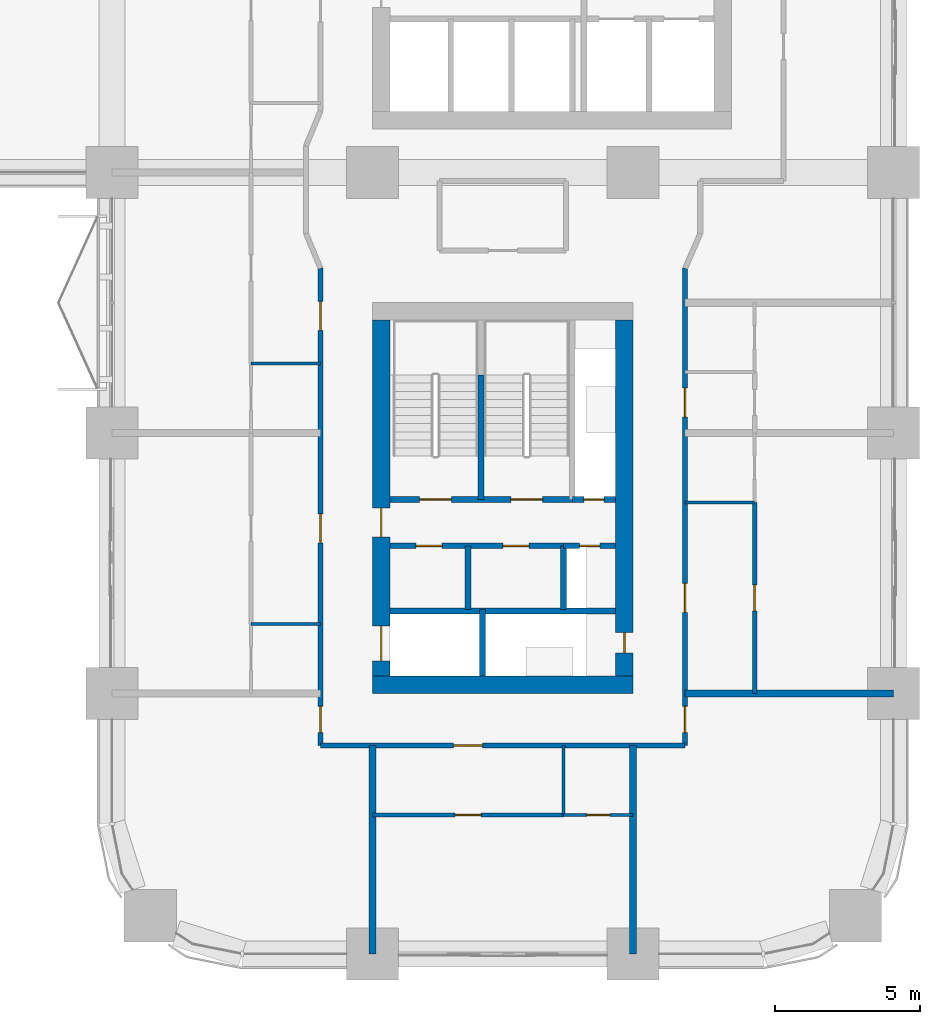
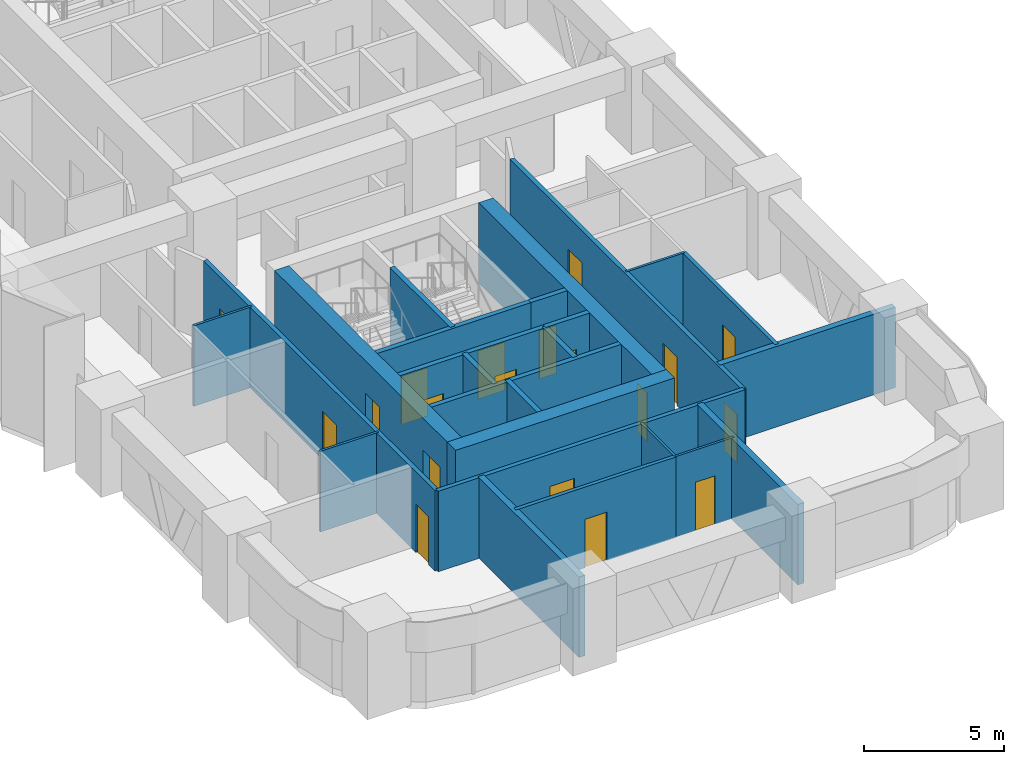
# One storey, part 12 of 18: 25 walls, 19 doors, 19 openings.
"""IFC4 building model written with IfcOpenShell, lengths in metres."""

from ifc_helpers import new_model, si_unit, direction, frame, frame_2d, origin, place, context, subcontext, project, spatial, rectangle, extrude, material, layer, layer_set, type_object, element, fill, save


model = new_model("IFC4")

# Units and contexts
model_context = context("Model", 3, precision=1e-05, world=origin(), true_north=direction((0.0, 1.0)))
body_context = subcontext(model_context, "Body", "Model", "MODEL_VIEW")
ifc_project = project(units=[si_unit("LENGTHUNIT", "METRE"), si_unit("AREAUNIT", "SQUARE_METRE"), si_unit("VOLUMEUNIT", "CUBIC_METRE"), si_unit("PLANEANGLEUNIT", "RADIAN"), si_unit("MASSUNIT", "GRAM", prefix="KILO")], contexts=[model_context])

# Site, building, storey
site_placement = place(None, origin())
site = spatial("IfcSite", under=ifc_project, at=site_placement, CompositionType="ELEMENT")
building_placement = place(site_placement, origin())
building = spatial("IfcBuilding", under=site, at=building_placement, Name="Tessera Arch", CompositionType="ELEMENT")
storey_placement = place(building_placement, frame((0.0, 0.0, 100.60009765625)))
storey = spatial("IfcBuildingStorey", under=building, at=storey_placement, Name="L23", CompositionType="ELEMENT", Elevation=100.60009765625)

# Wall
ifc_material_1 = material(Name="Gypsum board on steel stud", Category="steel")
ifc_layer_1 = layer(ifc_material_1, 0.125)
ifc_layer_set_1 = layer_set([ifc_layer_1], Name="Core partition 125 EI 60")
wall_type_1 = type_object("IfcWallType", Name="Core partition 125 EI 60", PredefinedType="PARTITIONING", material=ifc_layer_set_1)
wall_1_placement = place(storey_placement, frame((39.300048828125, 11.89990234375, 0.0), z_axis=(0.0, 0.0, 1.0), x_axis=(0.0, 1.0, 0.0)))
element("IfcWall", 1, at=wall_1_placement, inside=storey, type_object=wall_type_1, Name="L23 C3 partition wall 1", PredefinedType="PARTITIONING", context=body_context, shape_type="SweptSolid", body=[
    extrude(rectangle(XDim=2.2001953125, YDim=0.199951171875, at=frame_2d((1.10009765625, 0.0))), origin(), (0.0, 0.0, 1.0), 3.5),
])

# Wall, openings, doors
wall_2_placement = place(storey_placement, frame((36.60009765625, 14.10009765625, 0.0), z_axis=(0.0, 0.0, 1.0), x_axis=(1.0, 0.0, 0.0)))
wall_2 = element("IfcWall", 2, at=wall_2_placement, inside=storey, type_object=wall_type_1, Name="L23 C3 partition wall 9", PredefinedType="PARTITIONING", context=body_context, shape_type="SweptSolid", body=[
    extrude(rectangle(XDim=6.0, YDim=0.199951171875, at=frame_2d((3.0, 0.0))), origin(), (0.0, 0.0, 1.0), 3.5),
])
opening_1_placement = place(wall_2_placement, frame((0.89990234375, 0.0, 0.0)))
opening_1 = element("IfcOpeningElement", 3, at=opening_1_placement, cuts=wall_2, Name="Opening L23-C38", PredefinedType="OPENING", context=body_context, shape_type="SweptSolid", body=[
    extrude(rectangle(XDim=0.89990234375, YDim=2.10009765625, at=frame_2d((0.449951171875, 1.050048828125))), frame((0.0, 0.10986328125, 0.0), z_axis=(0.0, -1.0, 0.0), x_axis=(1.0, 0.0, 0.0)), (0.0, 0.0, 1.0), 0.219970703125),
])
opening_2_placement = place(wall_2_placement, frame((3.89990234375, 0.0, 0.0)))
opening_2 = element("IfcOpeningElement", 4, at=opening_2_placement, cuts=wall_2, Name="Opening L23-C39", PredefinedType="OPENING", context=body_context, shape_type="SweptSolid", body=[
    extrude(rectangle(XDim=0.89990234375, YDim=2.10009765625, at=frame_2d((0.449951171875, 1.050048828125))), frame((0.0, 0.10986328125, 0.0), z_axis=(0.0, -1.0, 0.0), x_axis=(1.0, 0.0, 0.0)), (0.0, 0.0, 1.0), 0.219970703125),
])
ifc_material_2 = material(Name="Steel door leaf", Category="steel")
door_type_1 = type_object("IfcDoorType", Name="Store door FD30S 900 x 2100", OperationType="SINGLE_SWING_LEFT", PredefinedType="DOOR", material=ifc_material_2)
door_1_placement = place(opening_1_placement, origin())
door_1 = element("IfcDoor", 5, at=door_1_placement, inside=storey, type_object=door_type_1, Name="L23 C3 door 8 C38 type D09", OperationType="SINGLE_SWING_LEFT", OverallHeight=2.10009765625, OverallWidth=0.89990234375, PredefinedType="DOOR", context=body_context, shape_type="SweptSolid", body=[
    extrude(rectangle(XDim=0.89990234375, YDim=2.10009765625, at=frame_2d((0.449951171875, 1.050048828125))), frame((0.0, 0.02490234375, 0.0), z_axis=(0.0, -1.0, 0.0), x_axis=(1.0, 0.0, 0.0)), (0.0, 0.0, 1.0), 0.050048828125),
])
fill(opening_1, door_1)
door_2_placement = place(opening_2_placement, origin())
door_2 = element("IfcDoor", 6, at=door_2_placement, inside=storey, type_object=door_type_1, Name="L23 C3 door 9 C39 type D09", OperationType="SINGLE_SWING_RIGHT", OverallHeight=2.10009765625, OverallWidth=0.89990234375, PredefinedType="DOOR", context=body_context, shape_type="SweptSolid", body=[
    extrude(rectangle(XDim=0.89990234375, YDim=2.10009765625, at=frame_2d((0.449951171875, 1.050048828125))), frame((0.0, 0.02490234375, 0.0), z_axis=(0.0, -1.0, 0.0), x_axis=(1.0, 0.0, 0.0)), (0.0, 0.0, 1.0), 0.050048828125),
])
fill(opening_2, door_2)

# Wall
ifc_material_3 = material(Name="Concrete C70/85", Category="concrete")
ifc_layer_2 = layer(ifc_material_3, 0.60009765625)
ifc_layer_set_2 = layer_set([ifc_layer_2], Name="Core shell wall 600 C70-85")
wall_type_2 = type_object("IfcWallType", Name="Core shell wall 600 C70-85", PredefinedType="SHEAR", material=ifc_layer_set_2)
wall_3_placement = place(storey_placement, frame((36.0, 9.300048828125, 0.0), z_axis=(0.0, 0.0, 1.0), x_axis=(1.0, 0.0, 0.0)))
element("IfcWall", 7, at=wall_3_placement, inside=storey, type_object=wall_type_2, Name="L23 C3 core wall S", PredefinedType="SHEAR", context=body_context, shape_type="SweptSolid", body=[
    extrude(rectangle(XDim=9.0, YDim=0.60009765625, at=frame_2d((4.5, 0.0))), origin(), (0.0, 0.0, 1.0), 3.5),
])

# Wall, openings, doors
wall_4_placement = place(storey_placement, frame((36.300048828125, 9.60009765625, 0.0), z_axis=(0.0, 0.0, 1.0), x_axis=(0.0, 1.0, 0.0)))
wall_4 = element("IfcWall", 8, at=wall_4_placement, inside=storey, type_object=wall_type_2, Name="L23 C3 core wall W", PredefinedType="SHEAR", context=body_context, shape_type="SweptSolid", body=[
    extrude(rectangle(XDim=12.2998046875, YDim=0.60009765625, at=frame_2d((6.14990234375, 0.0))), origin(), (0.0, 0.0, 1.0), 3.5),
])
opening_3_placement = place(wall_4_placement, frame((0.52490234375, 0.0, 0.0)))
opening_3 = element("IfcOpeningElement", 9, at=opening_3_placement, cuts=wall_4, Name="Opening L23-C31", PredefinedType="OPENING", context=body_context, shape_type="SweptSolid", body=[
    extrude(rectangle(XDim=1.199951171875, YDim=2.10009765625, at=frame_2d((0.60009765625, 1.050048828125))), frame((0.0, 0.31005859375, 0.0), z_axis=(0.0, -1.0, 0.0), x_axis=(1.0, 0.0, 0.0)), (0.0, 0.0, 1.0), 0.6201171875),
])
opening_4_placement = place(wall_4_placement, frame((4.800048828125, 0.0, 0.0)))
opening_4 = element("IfcOpeningElement", 10, at=opening_4_placement, cuts=wall_4, Name="Opening L23-C37", PredefinedType="OPENING", context=body_context, shape_type="SweptSolid", body=[
    extrude(rectangle(XDim=1.0, YDim=2.10009765625, at=frame_2d((0.5, 1.050048828125))), frame((0.0, 0.31005859375, 0.0), z_axis=(0.0, -1.0, 0.0), x_axis=(1.0, 0.0, 0.0)), (0.0, 0.0, 1.0), 0.6201171875),
])
ifc_material_4 = material(Name="Steel door leaf", Category="steel")
door_type_2 = type_object("IfcDoorType", Name="Corridor door FD60 1000 x 2100", OperationType="SINGLE_SWING_LEFT", PredefinedType="DOOR", material=ifc_material_4)
door_3_placement = place(opening_4_placement, origin())
door_3 = element("IfcDoor", 11, at=door_3_placement, inside=storey, type_object=door_type_2, Name="L23 C3 door 7 C37 type D12", OperationType="SINGLE_SWING_LEFT", OverallHeight=2.10009765625, OverallWidth=1.0, PredefinedType="DOOR", context=body_context, shape_type="SweptSolid", body=[
    extrude(rectangle(XDim=1.0, YDim=2.10009765625, at=frame_2d((0.5, 1.050048828125))), frame((0.0, 0.02490234375, 0.0), z_axis=(0.0, -1.0, 0.0), x_axis=(1.0, 0.0, 0.0)), (0.0, 0.0, 1.0), 0.050048828125),
])
fill(opening_4, door_3)
ifc_material_5 = material(Name="Stainless steel AISI 304", Category="steel")
door_type_3 = type_object("IfcDoorType", Name="Sliding landing door 1200 x 2100", OperationType="SLIDING_TO_LEFT", PredefinedType="DOOR", material=ifc_material_5)
door_4_placement = place(opening_3_placement, origin())
door_4 = element("IfcDoor", 12, at=door_4_placement, inside=storey, type_object=door_type_3, Name="L23 SV1 lift landing door C31 type LD", OperationType="SLIDING_TO_LEFT", OverallHeight=2.10009765625, OverallWidth=1.199951171875, PredefinedType="DOOR", context=body_context, shape_type="SweptSolid", body=[
    extrude(rectangle(XDim=1.199951171875, YDim=2.10009765625, at=frame_2d((0.60009765625, 1.050048828125))), frame((0.0, 0.02490234375, 0.0), z_axis=(0.0, -1.0, 0.0), x_axis=(1.0, 0.0, 0.0)), (0.0, 0.0, 1.0), 0.050048828125),
])
fill(opening_3, door_4)

# Wall, opening, door
wall_5_placement = place(storey_placement, frame((44.699951171875, 9.60009765625, 0.0), z_axis=(0.0, 0.0, 1.0), x_axis=(0.0, 1.0, 0.0)))
wall_5 = element("IfcWall", 13, at=wall_5_placement, inside=storey, type_object=wall_type_2, Name="L23 C3 core wall E", PredefinedType="SHEAR", context=body_context, shape_type="SweptSolid", body=[
    extrude(rectangle(XDim=12.2998046875, YDim=0.60009765625, at=frame_2d((6.14990234375, 0.0))), origin(), (0.0, 0.0, 1.0), 3.5),
])
opening_5_placement = place(wall_5_placement, frame((0.800048828125, 0.0, 0.0)))
opening_5 = element("IfcOpeningElement", 14, at=opening_5_placement, cuts=wall_5, Name="Opening L23-C36", PredefinedType="OPENING", context=body_context, shape_type="SweptSolid", body=[
    extrude(rectangle(XDim=0.699951171875, YDim=2.10009765625, at=frame_2d((0.35009765625, 1.050048828125))), frame((0.0, 0.31005859375, 0.0), z_axis=(0.0, -1.0, 0.0), x_axis=(1.0, 0.0, 0.0)), (0.0, 0.0, 1.0), 0.6201171875),
])
ifc_material_6 = material(Name="Steel door leaf", Category="steel")
door_type_4 = type_object("IfcDoorType", Name="Service shaft door FD60 700 x 2100", OperationType="SINGLE_SWING_LEFT", PredefinedType="DOOR", material=ifc_material_6)
door_5_placement = place(opening_5_placement, origin())
door_5 = element("IfcDoor", 15, at=door_5_placement, inside=storey, type_object=door_type_4, Name="L23 C3 door 6 C36 type D07", OperationType="SINGLE_SWING_LEFT", OverallHeight=2.10009765625, OverallWidth=0.699951171875, PredefinedType="DOOR", context=body_context, shape_type="SweptSolid", body=[
    extrude(rectangle(XDim=0.699951171875, YDim=2.10009765625, at=frame_2d((0.35009765625, 1.050048828125))), frame((0.0, 0.02490234375, 0.0), z_axis=(0.0, -1.0, 0.0), x_axis=(1.0, 0.0, 0.0)), (0.0, 0.0, 1.0), 0.050048828125),
])
fill(opening_5, door_5)

ifc_material_7 = material(Name="Gypsum board on deep steel stud with mineral wool", Category="steel")
ifc_layer_3 = layer(ifc_material_7, 0.175048828125)
ifc_layer_set_3 = layer_set([ifc_layer_3], Name="Corridor wall 175 EI 60")
wall_type_3 = type_object("IfcWallType", Name="Corridor wall 175 EI 60", PredefinedType="PARTITIONING", material=ifc_layer_set_3)
wall_6_placement = place(storey_placement, frame((34.199951171875, 7.199951171875, 0.0), z_axis=(0.0, 0.0, 1.0), x_axis=(1.0, 0.0, 0.0)))
wall_6 = element("IfcWall", 16, at=wall_6_placement, inside=storey, type_object=wall_type_3, Name="L23 partition 1", PredefinedType="PARTITIONING", context=body_context, shape_type="SweptSolid", body=[
    extrude(rectangle(XDim=12.60009765625, YDim=0.175048828125, at=frame_2d((6.300048828125, 0.0))), origin(), (0.0, 0.0, 1.0), 3.5),
])
opening_6_placement = place(wall_6_placement, frame((4.60009765625, 0.0, 0.0)))
opening_6 = element("IfcOpeningElement", 17, at=opening_6_placement, cuts=wall_6, Name="Opening L23-D001", PredefinedType="OPENING", context=body_context, shape_type="SweptSolid", body=[
    extrude(rectangle(XDim=1.0, YDim=2.10009765625, at=frame_2d((0.5, 1.050048828125))), frame((0.0, 0.097412109375, 0.0), z_axis=(0.0, -1.0, 0.0), x_axis=(1.0, 0.0, 0.0)), (0.0, 0.0, 1.0), 0.195068359375),
])
ifc_material_8 = material(Name="Fire-rated door leaf")
door_type_5 = type_object("IfcDoorType", Name="Entrance door FD30S 1000 x 2100", OperationType="SINGLE_SWING_LEFT", PredefinedType="DOOR", material=ifc_material_8)
door_6_placement = place(opening_6_placement, origin())
door_6 = element("IfcDoor", 18, at=door_6_placement, inside=storey, type_object=door_type_5, Name="L23 door D001 type D03", OperationType="SINGLE_SWING_RIGHT", OverallHeight=2.10009765625, OverallWidth=1.0, PredefinedType="DOOR", context=body_context, shape_type="SweptSolid", body=[
    extrude(rectangle(XDim=1.0, YDim=2.10009765625, at=frame_2d((0.5, 1.050048828125))), frame((0.0, 0.02490234375, 0.0), z_axis=(0.0, -1.0, 0.0), x_axis=(1.0, 0.0, 0.0)), (0.0, 0.0, 1.0), 0.050048828125),
])
fill(opening_6, door_6)

# Wall, openings, doors
wall_7_placement = place(storey_placement, frame((34.199951171875, 7.199951171875, 0.0), z_axis=(0.0, 0.0, 1.0), x_axis=(0.0, 1.0, 0.0)))
wall_7 = element("IfcWall", 19, at=wall_7_placement, inside=storey, type_object=wall_type_3, Name="L23 partition 12", PredefinedType="PARTITIONING", context=body_context, shape_type="SweptSolid", body=[
    extrude(rectangle(XDim=16.489990234375, YDim=0.175048828125, at=frame_2d((8.2451171875, 0.0))), origin(), (0.0, 0.0, 1.0), 3.5),
])
opening_7_placement = place(wall_7_placement, frame((0.449951171875, 0.0, 0.0)))
opening_7 = element("IfcOpeningElement", 20, at=opening_7_placement, cuts=wall_7, Name="Opening L23-D004", PredefinedType="OPENING", context=body_context, shape_type="SweptSolid", body=[
    extrude(rectangle(XDim=0.89990234375, YDim=2.10009765625, at=frame_2d((0.449951171875, 1.050048828125))), frame((0.0, 0.097412109375, 0.0), z_axis=(0.0, -1.0, 0.0), x_axis=(1.0, 0.0, 0.0)), (0.0, 0.0, 1.0), 0.195068359375),
])
opening_8_placement = place(wall_7_placement, frame((7.0, 0.0, 0.0)))
opening_8 = element("IfcOpeningElement", 21, at=opening_8_placement, cuts=wall_7, Name="Opening L23-D006", PredefinedType="OPENING", context=body_context, shape_type="SweptSolid", body=[
    extrude(rectangle(XDim=1.0, YDim=2.10009765625, at=frame_2d((0.5, 1.050048828125))), frame((0.0, 0.097412109375, 0.0), z_axis=(0.0, -1.0, 0.0), x_axis=(1.0, 0.0, 0.0)), (0.0, 0.0, 1.0), 0.195068359375),
])
opening_9_placement = place(wall_7_placement, frame((14.344970703125, 0.0, 0.0)))
opening_9 = element("IfcOpeningElement", 22, at=opening_9_placement, cuts=wall_7, Name="Opening L23-D015", PredefinedType="OPENING", context=body_context, shape_type="SweptSolid", body=[
    extrude(rectangle(XDim=1.0, YDim=2.10009765625, at=frame_2d((0.5, 1.050048828125))), frame((0.0, 0.097412109375, 0.0), z_axis=(0.0, -1.0, 0.0), x_axis=(1.0, 0.0, 0.0)), (0.0, 0.0, 1.0), 0.195068359375),
])
door_7_placement = place(opening_8_placement, origin())
door_7 = element("IfcDoor", 23, at=door_7_placement, inside=storey, type_object=door_type_5, Name="L23 door D006 type D03", OperationType="SINGLE_SWING_RIGHT", OverallHeight=2.10009765625, OverallWidth=1.0, PredefinedType="DOOR", context=body_context, shape_type="SweptSolid", body=[
    extrude(rectangle(XDim=1.0, YDim=2.10009765625, at=frame_2d((0.5, 1.050048828125))), frame((0.0, 0.02490234375, 0.0), z_axis=(0.0, -1.0, 0.0), x_axis=(1.0, 0.0, 0.0)), (0.0, 0.0, 1.0), 0.050048828125),
])
fill(opening_8, door_7)
door_8_placement = place(opening_9_placement, origin())
door_8 = element("IfcDoor", 24, at=door_8_placement, inside=storey, type_object=door_type_5, Name="L23 door D015 type D03", OperationType="SINGLE_SWING_LEFT", OverallHeight=2.10009765625, OverallWidth=1.0, PredefinedType="DOOR", context=body_context, shape_type="SweptSolid", body=[
    extrude(rectangle(XDim=1.0, YDim=2.10009765625, at=frame_2d((0.5, 1.050048828125))), frame((0.0, 0.02490234375, 0.0), z_axis=(0.0, -1.0, 0.0), x_axis=(1.0, 0.0, 0.0)), (0.0, 0.0, 1.0), 0.050048828125),
])
fill(opening_9, door_8)
ifc_material_9 = material(Name="Timber door leaf", Category="wood")
door_type_6 = type_object("IfcDoorType", Name="Room door 900 x 2100", OperationType="SINGLE_SWING_LEFT", PredefinedType="DOOR", material=ifc_material_9)
door_9_placement = place(opening_7_placement, origin())
door_9 = element("IfcDoor", 25, at=door_9_placement, inside=storey, type_object=door_type_6, Name="L23 door D004 type D01", OperationType="SINGLE_SWING_RIGHT", OverallHeight=2.10009765625, OverallWidth=0.89990234375, PredefinedType="DOOR", context=body_context, shape_type="SweptSolid", body=[
    extrude(rectangle(XDim=0.89990234375, YDim=2.10009765625, at=frame_2d((0.449951171875, 1.050048828125))), frame((0.0, 0.02490234375, 0.0), z_axis=(0.0, -1.0, 0.0), x_axis=(1.0, 0.0, 0.0)), (0.0, 0.0, 1.0), 0.050048828125),
])
fill(opening_7, door_9)

wall_8_placement = place(storey_placement, frame((46.800048828125, 7.199951171875, 0.0), z_axis=(0.0, 0.0, 1.0), x_axis=(0.0, 1.0, 0.0)))
wall_8 = element("IfcWall", 26, at=wall_8_placement, inside=storey, type_object=wall_type_3, Name="L23 partition 16", PredefinedType="PARTITIONING", context=body_context, shape_type="SweptSolid", body=[
    extrude(rectangle(XDim=16.489990234375, YDim=0.175048828125, at=frame_2d((8.2451171875, 0.0))), origin(), (0.0, 0.0, 1.0), 3.5),
])
opening_10_placement = place(wall_8_placement, frame((0.449951171875, 0.0, 0.0)))
opening_10 = element("IfcOpeningElement", 27, at=opening_10_placement, cuts=wall_8, Name="Opening L23-D005", PredefinedType="OPENING", context=body_context, shape_type="SweptSolid", body=[
    extrude(rectangle(XDim=0.89990234375, YDim=2.10009765625, at=frame_2d((0.449951171875, 1.050048828125))), frame((0.0, 0.097412109375, 0.0), z_axis=(0.0, -1.0, 0.0), x_axis=(1.0, 0.0, 0.0)), (0.0, 0.0, 1.0), 0.195068359375),
])
opening_11_placement = place(wall_8_placement, frame((4.60009765625, 0.0, 0.0)))
opening_11 = element("IfcOpeningElement", 28, at=opening_11_placement, cuts=wall_8, Name="Opening L23-D009", PredefinedType="OPENING", context=body_context, shape_type="SweptSolid", body=[
    extrude(rectangle(XDim=1.0, YDim=2.10009765625, at=frame_2d((0.5, 1.050048828125))), frame((0.0, 0.097412109375, 0.0), z_axis=(0.0, -1.0, 0.0), x_axis=(1.0, 0.0, 0.0)), (0.0, 0.0, 1.0), 0.195068359375),
])
opening_12_placement = place(wall_8_placement, frame((11.35009765625, 0.0, 0.0)))
opening_12 = element("IfcOpeningElement", 29, at=opening_12_placement, cuts=wall_8, Name="Opening L23-D012", PredefinedType="OPENING", context=body_context, shape_type="SweptSolid", body=[
    extrude(rectangle(XDim=1.0, YDim=2.10009765625, at=frame_2d((0.5, 1.050048828125))), frame((0.0, 0.097412109375, 0.0), z_axis=(0.0, -1.0, 0.0), x_axis=(1.0, 0.0, 0.0)), (0.0, 0.0, 1.0), 0.195068359375),
])
door_10_placement = place(opening_11_placement, origin())
door_10 = element("IfcDoor", 30, at=door_10_placement, inside=storey, type_object=door_type_5, Name="L23 door D009 type D03", OperationType="SINGLE_SWING_RIGHT", OverallHeight=2.10009765625, OverallWidth=1.0, PredefinedType="DOOR", context=body_context, shape_type="SweptSolid", body=[
    extrude(rectangle(XDim=1.0, YDim=2.10009765625, at=frame_2d((0.5, 1.050048828125))), frame((0.0, 0.02490234375, 0.0), z_axis=(0.0, -1.0, 0.0), x_axis=(1.0, 0.0, 0.0)), (0.0, 0.0, 1.0), 0.050048828125),
])
fill(opening_11, door_10)
door_11_placement = place(opening_12_placement, origin())
door_11 = element("IfcDoor", 31, at=door_11_placement, inside=storey, type_object=door_type_5, Name="L23 door D012 type D03", OperationType="SINGLE_SWING_LEFT", OverallHeight=2.10009765625, OverallWidth=1.0, PredefinedType="DOOR", context=body_context, shape_type="SweptSolid", body=[
    extrude(rectangle(XDim=1.0, YDim=2.10009765625, at=frame_2d((0.5, 1.050048828125))), frame((0.0, 0.02490234375, 0.0), z_axis=(0.0, -1.0, 0.0), x_axis=(1.0, 0.0, 0.0)), (0.0, 0.0, 1.0), 0.050048828125),
])
fill(opening_12, door_11)
door_12_placement = place(opening_10_placement, origin())
door_12 = element("IfcDoor", 32, at=door_12_placement, inside=storey, type_object=door_type_6, Name="L23 door D005 type D01", OperationType="SINGLE_SWING_RIGHT", OverallHeight=2.10009765625, OverallWidth=0.89990234375, PredefinedType="DOOR", context=body_context, shape_type="SweptSolid", body=[
    extrude(rectangle(XDim=0.89990234375, YDim=2.10009765625, at=frame_2d((0.449951171875, 1.050048828125))), frame((0.0, 0.02490234375, 0.0), z_axis=(0.0, -1.0, 0.0), x_axis=(1.0, 0.0, 0.0)), (0.0, 0.0, 1.0), 0.050048828125),
])
fill(opening_10, door_12)

# Wall, opening, door
ifc_material_10 = material(Name="Gypsum board on steel stud", Category="steel")
ifc_layer_4 = layer(ifc_material_10, 0.14990234375)
ifc_layer_set_4 = layer_set([ifc_layer_4], Name="Partition 150")
wall_type_4 = type_object("IfcWallType", Name="Partition 150", PredefinedType="PARTITIONING", material=ifc_layer_set_4)
wall_9_placement = place(storey_placement, frame((36.0, 4.800048828125, 0.0), z_axis=(0.0, 0.0, 1.0), x_axis=(1.0, 0.0, 0.0)))
wall_9 = element("IfcWall", 33, at=wall_9_placement, inside=storey, type_object=wall_type_4, Name="L23 partition 19", PredefinedType="PARTITIONING", context=body_context, shape_type="SweptSolid", body=[
    extrude(rectangle(XDim=6.60009765625, YDim=0.14990234375, at=frame_2d((3.300048828125, 0.0))), origin(), (0.0, 0.0, 1.0), 3.5),
])
opening_13_placement = place(wall_9_placement, frame((2.85009765625, 0.0, 0.0)))
opening_13 = element("IfcOpeningElement", 34, at=opening_13_placement, cuts=wall_9, Name="Opening L23-D002", PredefinedType="OPENING", context=body_context, shape_type="SweptSolid", body=[
    extrude(rectangle(XDim=0.89990234375, YDim=2.10009765625, at=frame_2d((0.449951171875, 1.050048828125))), frame((0.0, 0.0849609375, 0.0), z_axis=(0.0, -1.0, 0.0), x_axis=(1.0, 0.0, 0.0)), (0.0, 0.0, 1.0), 0.169921875),
])
door_13_placement = place(opening_13_placement, origin())
door_13 = element("IfcDoor", 35, at=door_13_placement, inside=storey, type_object=door_type_6, Name="L23 door D002 type D01", OperationType="SINGLE_SWING_LEFT", OverallHeight=2.10009765625, OverallWidth=0.89990234375, PredefinedType="DOOR", context=body_context, shape_type="SweptSolid", body=[
    extrude(rectangle(XDim=0.89990234375, YDim=2.10009765625, at=frame_2d((0.449951171875, 1.050048828125))), frame((0.0, 0.02490234375, 0.0), z_axis=(0.0, -1.0, 0.0), x_axis=(1.0, 0.0, 0.0)), (0.0, 0.0, 1.0), 0.050048828125),
])
fill(opening_13, door_13)

wall_10_placement = place(storey_placement, frame((49.199951171875, 9.0, 0.0), z_axis=(0.0, 0.0, 1.0), x_axis=(0.0, 1.0, 0.0)))
wall_10 = element("IfcWall", 36, at=wall_10_placement, inside=storey, type_object=wall_type_4, Name="L23 partition 23", PredefinedType="PARTITIONING", context=body_context, shape_type="SweptSolid", body=[
    extrude(rectangle(XDim=6.60009765625, YDim=0.14990234375, at=frame_2d((3.300048828125, 0.0))), origin(), (0.0, 0.0, 1.0), 3.5),
])
opening_14_placement = place(wall_10_placement, frame((2.85009765625, 0.0, 0.0)))
opening_14 = element("IfcOpeningElement", 37, at=opening_14_placement, cuts=wall_10, Name="Opening L23-D010", PredefinedType="OPENING", context=body_context, shape_type="SweptSolid", body=[
    extrude(rectangle(XDim=0.89990234375, YDim=2.10009765625, at=frame_2d((0.449951171875, 1.050048828125))), frame((0.0, 0.0849609375, 0.0), z_axis=(0.0, -1.0, 0.0), x_axis=(1.0, 0.0, 0.0)), (0.0, 0.0, 1.0), 0.169921875),
])
door_14_placement = place(opening_14_placement, origin())
door_14 = element("IfcDoor", 38, at=door_14_placement, inside=storey, type_object=door_type_6, Name="L23 door D010 type D01", OperationType="SINGLE_SWING_LEFT", OverallHeight=2.10009765625, OverallWidth=0.89990234375, PredefinedType="DOOR", context=body_context, shape_type="SweptSolid", body=[
    extrude(rectangle(XDim=0.89990234375, YDim=2.10009765625, at=frame_2d((0.449951171875, 1.050048828125))), frame((0.0, 0.02490234375, 0.0), z_axis=(0.0, -1.0, 0.0), x_axis=(1.0, 0.0, 0.0)), (0.0, 0.0, 1.0), 0.050048828125),
])
fill(opening_14, door_14)

# Walls
ifc_material_11 = material(Name="Double gypsum board on twin steel stud with acoustic mineral wool", Category="steel")
ifc_layer_5 = layer(ifc_material_11, 0.25)
ifc_layer_set_5 = layer_set([ifc_layer_5], Name="Party wall 250 EI 60")
wall_type_5 = type_object("IfcWallType", Name="Party wall 250 EI 60", PredefinedType="PARTITIONING", material=ifc_layer_set_5)
for number, where, z_axis, x_axis, name in (
    (39, (46.800048828125, 9.0, 0.0), (0.0, 0.0, 1.0), (1.0, 0.0, 0.0), "L23 partition 26"),
    (40, (36.0, 0.0, 0.0), (0.0, 0.0, 1.0), (0.0, 1.0, 0.0), "L23 partition 44"),
    (41, (45.0, 0.0, 0.0), (0.0, 0.0, 1.0), (0.0, 1.0, 0.0), "L23 partition 46"),
):
    element("IfcWall", number, at=place(storey_placement, frame(where, z_axis=z_axis, x_axis=x_axis)), inside=storey, type_object=wall_type_5, Name=name, PredefinedType="PARTITIONING", context=body_context, shape_type="SweptSolid", body=[
        extrude(rectangle(XDim=7.199951171875, YDim=0.25, at=frame_2d((3.60009765625, 0.0))), origin(), (0.0, 0.0, 1.0), 3.5),
    ])
ifc_material_12 = material(Name="Concrete C40/50", Category="concrete")
ifc_layer_6 = layer(ifc_material_12, 0.199951171875)
ifc_layer_set_6 = layer_set([ifc_layer_6], Name="Shaft wall 200 EI 120")
wall_type_6 = type_object("IfcWallType", Name="Shaft wall 200 EI 120", PredefinedType="SOLIDWALL", material=ifc_layer_set_6)
wall_11_placement = place(storey_placement, frame((39.800048828125, 9.60009765625, 0.0), z_axis=(0.0, 0.0, 1.0), x_axis=(0.0, 1.0, 0.0)))
element("IfcWall", 42, at=wall_11_placement, inside=storey, type_object=wall_type_6, Name="L23 C3 shaft wall 4", PredefinedType="SOLIDWALL", context=body_context, shape_type="SweptSolid", body=[
    extrude(rectangle(XDim=2.2998046875, YDim=0.199951171875, at=frame_2d((1.14990234375, 0.0))), origin(), (0.0, 0.0, 1.0), 3.5),
])
wall_12_placement = place(storey_placement, frame((42.60009765625, 11.89990234375, 0.0), z_axis=(0.0, 0.0, 1.0), x_axis=(0.0, 1.0, 0.0)))
element("IfcWall", 43, at=wall_12_placement, inside=storey, type_object=wall_type_6, Name="L23 C3 shaft wall 5", PredefinedType="SOLIDWALL", context=body_context, shape_type="SweptSolid", body=[
    extrude(rectangle(XDim=2.2001953125, YDim=0.199951171875, at=frame_2d((1.10009765625, 0.0))), origin(), (0.0, 0.0, 1.0), 3.5),
])
wall_13_placement = place(storey_placement, frame((36.60009765625, 11.85009765625, 0.0), z_axis=(0.0, 0.0, 1.0), x_axis=(1.0, 0.0, 0.0)))
element("IfcWall", 44, at=wall_13_placement, inside=storey, type_object=wall_type_6, Name="L23 C3 shaft wall 8", PredefinedType="SOLIDWALL", context=body_context, shape_type="SweptSolid", body=[
    extrude(rectangle(XDim=7.7998046875, YDim=0.199951171875, at=frame_2d((3.89990234375, 0.0))), origin(), (0.0, 0.0, 1.0), 3.5),
])

# Wall, opening, door
wall_14_placement = place(storey_placement, frame((42.60009765625, 14.10009765625, 0.0), z_axis=(0.0, 0.0, 1.0), x_axis=(1.0, 0.0, 0.0)))
wall_14 = element("IfcWall", 45, at=wall_14_placement, inside=storey, type_object=wall_type_6, Name="L23 C3 shaft wall 10", PredefinedType="SOLIDWALL", context=body_context, shape_type="SweptSolid", body=[
    extrude(rectangle(XDim=1.7998046875, YDim=0.199951171875, at=frame_2d((0.89990234375, 0.0))), origin(), (0.0, 0.0, 1.0), 3.5),
])
opening_15_placement = place(wall_14_placement, frame((0.550048828125, 0.0, 0.0)))
opening_15 = element("IfcOpeningElement", 46, at=opening_15_placement, cuts=wall_14, Name="Opening L23-C35", PredefinedType="OPENING", context=body_context, shape_type="SweptSolid", body=[
    extrude(rectangle(XDim=0.699951171875, YDim=2.10009765625, at=frame_2d((0.35009765625, 1.050048828125))), frame((0.0, 0.10986328125, 0.0), z_axis=(0.0, -1.0, 0.0), x_axis=(1.0, 0.0, 0.0)), (0.0, 0.0, 1.0), 0.219970703125),
])
door_15_placement = place(opening_15_placement, origin())
door_15 = element("IfcDoor", 47, at=door_15_placement, inside=storey, type_object=door_type_4, Name="L23 C3 door 5 C35 type D07", OperationType="SINGLE_SWING_RIGHT", OverallHeight=2.10009765625, OverallWidth=0.699951171875, PredefinedType="DOOR", context=body_context, shape_type="SweptSolid", body=[
    extrude(rectangle(XDim=0.699951171875, YDim=2.10009765625, at=frame_2d((0.35009765625, 1.050048828125))), frame((0.0, 0.02490234375, 0.0), z_axis=(0.0, -1.0, 0.0), x_axis=(1.0, 0.0, 0.0)), (0.0, 0.0, 1.0), 0.050048828125),
])
fill(opening_15, door_15)

wall_15_placement = place(storey_placement, frame((42.89990234375, 15.699951171875, 0.0), z_axis=(0.0, 0.0, 1.0), x_axis=(1.0, 0.0, 0.0)))
wall_15 = element("IfcWall", 48, at=wall_15_placement, inside=storey, type_object=wall_type_6, Name="L23 C3 shaft wall 11", PredefinedType="SOLIDWALL", context=body_context, shape_type="SweptSolid", body=[
    extrude(rectangle(XDim=1.5, YDim=0.199951171875, at=frame_2d((0.75, 0.0))), origin(), (0.0, 0.0, 1.0), 3.5),
])
opening_16_placement = place(wall_15_placement, frame((0.39990234375, 0.0, 0.0)))
opening_16 = element("IfcOpeningElement", 49, at=opening_16_placement, cuts=wall_15, Name="Opening L23-C34", PredefinedType="OPENING", context=body_context, shape_type="SweptSolid", body=[
    extrude(rectangle(XDim=0.699951171875, YDim=2.10009765625, at=frame_2d((0.35009765625, 1.050048828125))), frame((0.0, 0.10986328125, 0.0), z_axis=(0.0, -1.0, 0.0), x_axis=(1.0, 0.0, 0.0)), (0.0, 0.0, 1.0), 0.219970703125),
])
door_16_placement = place(opening_16_placement, origin())
door_16 = element("IfcDoor", 50, at=door_16_placement, inside=storey, type_object=door_type_4, Name="L23 C3 door 4 C34 type D07", OperationType="SINGLE_SWING_LEFT", OverallHeight=2.10009765625, OverallWidth=0.699951171875, PredefinedType="DOOR", context=body_context, shape_type="SweptSolid", body=[
    extrude(rectangle(XDim=0.699951171875, YDim=2.10009765625, at=frame_2d((0.35009765625, 1.050048828125))), frame((0.0, 0.02490234375, 0.0), z_axis=(0.0, -1.0, 0.0), x_axis=(1.0, 0.0, 0.0)), (0.0, 0.0, 1.0), 0.050048828125),
])
fill(opening_16, door_16)

# Wall
ifc_material_13 = material(Name="Concrete C40/50", Category="concrete")
ifc_layer_7 = layer(ifc_material_13, 0.199951171875)
ifc_layer_set_7 = layer_set([ifc_layer_7], Name="Stair well wall 200 REI 180")
wall_type_7 = type_object("IfcWallType", Name="Stair well wall 200 REI 180", PredefinedType="SOLIDWALL", material=ifc_layer_set_7)
wall_16_placement = place(storey_placement, frame((39.75, 15.699951171875, 0.0), z_axis=(0.0, 0.0, 1.0), x_axis=(0.0, 1.0, 0.0)))
element("IfcWall", 51, at=wall_16_placement, inside=storey, type_object=wall_type_7, Name="L23 C3 shaft wall 2", PredefinedType="SOLIDWALL", context=body_context, shape_type="SweptSolid", body=[
    extrude(rectangle(XDim=4.300048828125, YDim=0.199951171875, at=frame_2d((2.14990234375, 0.0))), origin(), (0.0, 0.0, 1.0), 3.5),
])

# Wall, openings, doors
wall_17_placement = place(storey_placement, frame((36.60009765625, 15.699951171875, 0.0), z_axis=(0.0, 0.0, 1.0), x_axis=(1.0, 0.0, 0.0)))
wall_17 = element("IfcWall", 52, at=wall_17_placement, inside=storey, type_object=wall_type_7, Name="L23 C3 shaft wall 12", PredefinedType="SOLIDWALL", context=body_context, shape_type="SweptSolid", body=[
    extrude(rectangle(XDim=6.2998046875, YDim=0.199951171875, at=frame_2d((3.14990234375, 0.0))), origin(), (0.0, 0.0, 1.0), 3.5),
])
opening_17_placement = place(wall_17_placement, frame((1.02490234375, 0.0, 0.0)))
opening_17 = element("IfcOpeningElement", 53, at=opening_17_placement, cuts=wall_17, Name="Opening L23-C32", PredefinedType="OPENING", context=body_context, shape_type="SweptSolid", body=[
    extrude(rectangle(XDim=1.10009765625, YDim=2.10009765625, at=frame_2d((0.550048828125, 1.050048828125))), frame((0.0, 0.10986328125, 0.0), z_axis=(0.0, -1.0, 0.0), x_axis=(1.0, 0.0, 0.0)), (0.0, 0.0, 1.0), 0.219970703125),
])
opening_18_placement = place(wall_17_placement, frame((4.175048828125, 0.0, 0.0)))
opening_18 = element("IfcOpeningElement", 54, at=opening_18_placement, cuts=wall_17, Name="Opening L23-C33", PredefinedType="OPENING", context=body_context, shape_type="SweptSolid", body=[
    extrude(rectangle(XDim=1.10009765625, YDim=2.10009765625, at=frame_2d((0.550048828125, 1.050048828125))), frame((0.0, 0.10986328125, 0.0), z_axis=(0.0, -1.0, 0.0), x_axis=(1.0, 0.0, 0.0)), (0.0, 0.0, 1.0), 0.219970703125),
])
ifc_material_14 = material(Name="Steel door leaf", Category="steel")
door_type_7 = type_object("IfcDoorType", Name="Stair door FD60 1100 x 2100", OperationType="SINGLE_SWING_LEFT", PredefinedType="DOOR", material=ifc_material_14)
door_17_placement = place(opening_17_placement, origin())
door_17 = element("IfcDoor", 55, at=door_17_placement, inside=storey, type_object=door_type_7, Name="L23 C3 door 2 C32 type D05", OperationType="SINGLE_SWING_LEFT", OverallHeight=2.10009765625, OverallWidth=1.10009765625, PredefinedType="DOOR", context=body_context, shape_type="SweptSolid", body=[
    extrude(rectangle(XDim=1.10009765625, YDim=2.10009765625, at=frame_2d((0.550048828125, 1.050048828125))), frame((0.0, 0.02490234375, 0.0), z_axis=(0.0, -1.0, 0.0), x_axis=(1.0, 0.0, 0.0)), (0.0, 0.0, 1.0), 0.050048828125),
])
fill(opening_17, door_17)
door_18_placement = place(opening_18_placement, origin())
door_18 = element("IfcDoor", 56, at=door_18_placement, inside=storey, type_object=door_type_7, Name="L23 C3 door 3 C33 type D05", OperationType="SINGLE_SWING_RIGHT", OverallHeight=2.10009765625, OverallWidth=1.10009765625, PredefinedType="DOOR", context=body_context, shape_type="SweptSolid", body=[
    extrude(rectangle(XDim=1.10009765625, YDim=2.10009765625, at=frame_2d((0.550048828125, 1.050048828125))), frame((0.0, 0.02490234375, 0.0), z_axis=(0.0, -1.0, 0.0), x_axis=(1.0, 0.0, 0.0)), (0.0, 0.0, 1.0), 0.050048828125),
])
fill(opening_18, door_18)

# Wall, opening, door
ifc_material_15 = material(Name="Moisture-resistant board on pre-plumbed steel stud", Category="steel")
ifc_layer_8 = layer(ifc_material_15, 0.10009765625)
ifc_layer_set_8 = layer_set([ifc_layer_8], Name="Wet wall 100")
wall_type_8 = type_object("IfcWallType", Name="Wet wall 100", PredefinedType="PARTITIONING", material=ifc_layer_set_8)
wall_18_placement = place(storey_placement, frame((42.60009765625, 4.800048828125, 0.0), z_axis=(0.0, 0.0, 1.0), x_axis=(1.0, 0.0, 0.0)))
wall_18 = element("IfcWall", 57, at=wall_18_placement, inside=storey, type_object=wall_type_8, Name="L23 partition 47", PredefinedType="PARTITIONING", context=body_context, shape_type="SweptSolid", body=[
    extrude(rectangle(XDim=2.39990234375, YDim=0.10009765625, at=frame_2d((1.199951171875, 0.0))), origin(), (0.0, 0.0, 1.0), 3.5),
])
opening_19_placement = place(wall_18_placement, frame((0.800048828125, 0.0, 0.0)))
opening_19 = element("IfcOpeningElement", 58, at=opening_19_placement, cuts=wall_18, Name="Opening L23-D003", PredefinedType="OPENING", context=body_context, shape_type="SweptSolid", body=[
    extrude(rectangle(XDim=0.800048828125, YDim=2.10009765625, at=frame_2d((0.39990234375, 1.050048828125))), frame((0.0, 0.06005859375, 0.0), z_axis=(0.0, -1.0, 0.0), x_axis=(1.0, 0.0, 0.0)), (0.0, 0.0, 1.0), 0.1201171875),
])
ifc_material_16 = material(Name="Timber door leaf", Category="wood")
door_type_8 = type_object("IfcDoorType", Name="En-suite door 800 x 2100", OperationType="SINGLE_SWING_LEFT", PredefinedType="DOOR", material=ifc_material_16)
door_19_placement = place(opening_19_placement, origin())
door_19 = element("IfcDoor", 59, at=door_19_placement, inside=storey, type_object=door_type_8, Name="L23 door D003 type D02", OperationType="SINGLE_SWING_RIGHT", OverallHeight=2.10009765625, OverallWidth=0.800048828125, PredefinedType="DOOR", context=body_context, shape_type="SweptSolid", body=[
    extrude(rectangle(XDim=0.800048828125, YDim=2.10009765625, at=frame_2d((0.39990234375, 1.050048828125))), frame((0.0, 0.02490234375, 0.0), z_axis=(0.0, -1.0, 0.0), x_axis=(1.0, 0.0, 0.0)), (0.0, 0.0, 1.0), 0.050048828125),
])
fill(opening_19, door_19)

# Walls
for number, where, z_axis, x_axis, name in (
    (60, (31.800048828125, 11.39990234375, 0.0), (0.0, 0.0, 1.0), (1.0, 0.0, 0.0), "L23 partition 48"),
    (61, (46.800048828125, 15.60009765625, 0.0), (0.0, 0.0, 1.0), (1.0, 0.0, 0.0), "L23 partition 49"),
    (62, (31.800048828125, 20.39990234375, 0.0), (0.0, 0.0, 1.0), (1.0, 0.0, 0.0), "L23 partition 51"),
    (63, (42.60009765625, 4.800048828125, 0.0), (0.0, 0.0, 1.0), (0.0, 1.0, 0.0), "L23 partition 56"),
):
    element("IfcWall", number, at=place(storey_placement, frame(where, z_axis=z_axis, x_axis=x_axis)), inside=storey, type_object=wall_type_8, Name=name, PredefinedType="PARTITIONING", context=body_context, shape_type="SweptSolid", body=[
        extrude(rectangle(XDim=2.39990234375, YDim=0.10009765625, at=frame_2d((1.199951171875, 0.0))), origin(), (0.0, 0.0, 1.0), 3.5),
    ])

save(model, "model.ifc")
